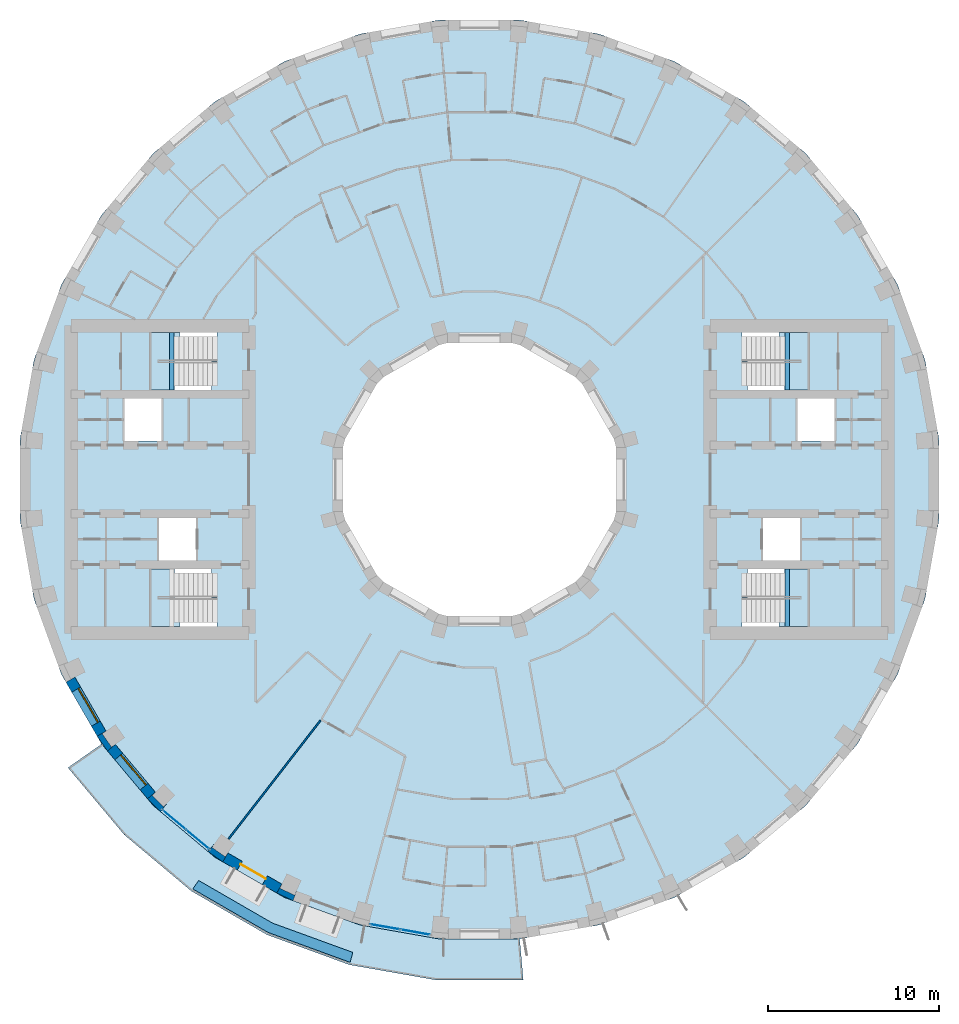
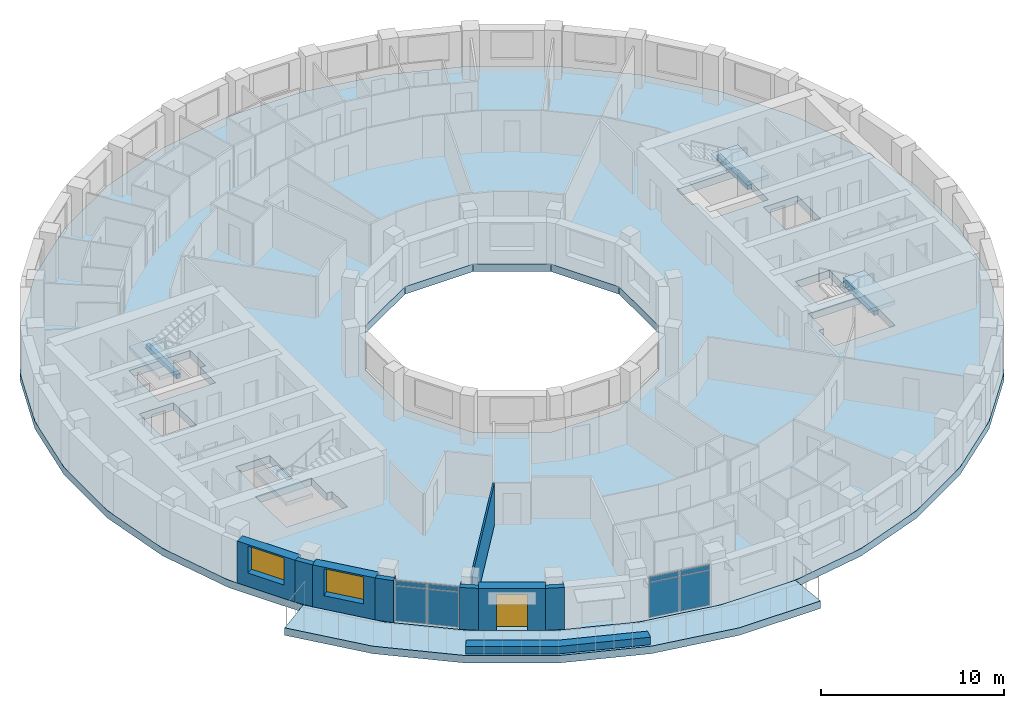
# One storey, part 3 of 14: 9 walls, 8 plates, 6 slabs, 3 beams, 2 windows, 1 door, 3 openings, 6 elements without a shape of their own.
"""IFC4 building model written with IfcOpenShell, lengths in metres."""

import ifcopenshell
import ifcopenshell.guid

model = None  # the IFC model being written
_history = None  # IfcOwnerHistory: only IFC2X3 demands one
_inside = {}  # id of a spatial element -> (the spatial element, [elements in it])
_under = {}  # id of a project, library or spatial element -> (it, [spatial elements below it])
_declared = {}  # id of a project -> (the project, [libraries it declares])
_typed = {}  # id of a type object -> (the type object, [elements of that type])
_made_of = {}  # id of a material, layer set ... -> (it, [elements and type objects made of it])


def new_model(schema):
    """Start an empty IFC model of exactly this schema.

    Asked for "IFC4X3", IfcOpenShell would pick the latest addendum, in which some entities
    have other attributes; the version numbers below select the first issue.
    IFC2X3 requires an IfcOwnerHistory on every rooted entity: one is made here for all.
    """
    global model, _history
    if schema == "IFC4X3":
        model = ifcopenshell.file(schema_version=(4, 3, 0, 0))
    else:
        model = ifcopenshell.file(schema=schema)
    _inside.clear()
    _under.clear()
    _declared.clear()
    _typed.clear()
    _made_of.clear()
    _history = None
    if model.schema == "IFC2X3":
        org = make("IfcOrganization", Name="unknown")
        user = make(
            "IfcPersonAndOrganization",
            ThePerson=make("IfcPerson", FamilyName="unknown"),
            TheOrganization=org,
        )
        app = make(
            "IfcApplication",
            ApplicationDeveloper=org,
            Version="unknown",
            ApplicationFullName="unknown",
            ApplicationIdentifier="unknown",
        )
        _history = make(
            "IfcOwnerHistory",
            OwningUser=user,
            OwningApplication=app,
            ChangeAction="ADDED",
            CreationDate=0,
        )
    return model


def make(cls, **values):
    """One entity of the class cls with the attributes given. An attribute that is None is left unset."""
    return model.create_entity(
        cls, **{name: value for name, value in values.items() if value is not None}
    )


def rooted(cls, **values):
    """An entity with a GlobalId (a new one), such as an element, a storey or a relation."""
    return make(cls, GlobalId=ifcopenshell.guid.new(), OwnerHistory=_history, **values)


def si_unit(unit_type, name, prefix=None):
    """IfcSIUnit, for example si_unit("LENGTHUNIT", "METRE", prefix="MILLI")."""
    return make("IfcSIUnit", UnitType=unit_type, Prefix=prefix, Name=name)


def assignment(units):
    """IfcUnitAssignment: the units of a project."""
    return None if units is None else make("IfcUnitAssignment", Units=units)


def point(xyz):
    """IfcCartesianPoint."""
    return None if xyz is None else make("IfcCartesianPoint", Coordinates=xyz)


def direction(xyz):
    """IfcDirection."""
    return None if xyz is None else make("IfcDirection", DirectionRatios=xyz)


def frame(location, z_axis=None, x_axis=None):
    """IfcAxis2Placement3D, a coordinate frame: its origin and axes. An axis left out is left unset."""
    return make(
        "IfcAxis2Placement3D",
        Location=point(location),
        Axis=direction(z_axis),
        RefDirection=direction(x_axis),
    )


def frame_2d(location, x_axis=None):
    """IfcAxis2Placement2D, a coordinate frame in the plane: its origin and x axis."""
    return make(
        "IfcAxis2Placement2D", Location=point(location), RefDirection=direction(x_axis)
    )


def origin():
    """The frame at (0, 0, 0) with its axes left unset."""
    return frame((0.0, 0.0, 0.0))


def origin_2d():
    """The frame at (0, 0) in the plane with its x axis left unset."""
    return frame_2d((0.0, 0.0))


def place(relative_to, where):
    """IfcLocalPlacement: puts the frame where relative to a parent placement (None: the world)."""
    return make(
        "IfcLocalPlacement", PlacementRelTo=relative_to, RelativePlacement=where
    )


def context(
    kind, dimensions, precision=None, world=None, true_north=None, identifier=None
):
    """IfcGeometricRepresentationContext, for example the 3D "Model" context."""
    return make(
        "IfcGeometricRepresentationContext",
        ContextIdentifier=identifier,
        ContextType=kind,
        CoordinateSpaceDimension=dimensions,
        Precision=precision,
        WorldCoordinateSystem=world,
        TrueNorth=true_north,
    )


def subcontext(parent, identifier, kind, view, scale=None):
    """IfcGeometricRepresentationSubContext, for example "Body" below "Model"."""
    return make(
        "IfcGeometricRepresentationSubContext",
        ContextIdentifier=identifier,
        ContextType=kind,
        ParentContext=parent,
        TargetScale=scale,
        TargetView=view,
    )


def project(units=None, contexts=None):
    """IfcProject with its units and contexts."""
    return rooted(
        "IfcProject",
        Name="project",
        RepresentationContexts=contexts,
        UnitsInContext=assignment(units),
    )


def spatial(cls, under=None, at=None, **own):
    """A site, building, storey or space (cls), placed at a placement, below another one or the project."""
    s = rooted(cls, ObjectPlacement=at, **own)
    if under is not None:
        _under.setdefault(under.id(), (under, []))[1].append(s)
    return s


def polyline(points):
    """IfcPolyline through the points."""
    return make("IfcPolyline", Points=[point(p) for p in points])


def profile(cls, at=None, kind="AREA", **sizes):
    """A parametric profile (cls). Its sizes go by their IFC names, for example OverallWidth=200.0."""
    return make(cls, ProfileType=kind, Position=at, **sizes)


def rectangle(**sizes):
    """IfcRectangleProfileDef."""
    return profile("IfcRectangleProfileDef", **sizes)


def outline(outer, holes=None, kind="AREA"):
    """IfcArbitraryClosedProfileDef: a profile drawn as a closed curve; with holes, ...WithVoids."""
    if holes is None:
        return make("IfcArbitraryClosedProfileDef", ProfileType=kind, OuterCurve=outer)
    return make(
        "IfcArbitraryProfileDefWithVoids",
        ProfileType=kind,
        OuterCurve=outer,
        InnerCurves=holes,
    )


def extrude(swept, where, along, depth):
    """IfcExtrudedAreaSolid: the profile swept, set in the frame where, extruded along a direction by depth."""
    return make(
        "IfcExtrudedAreaSolid",
        SweptArea=swept,
        Position=where,
        ExtrudedDirection=direction(along),
        Depth=depth,
    )


def shape(context_of_items, identifier, shape_type, items):
    """IfcShapeRepresentation: the items that make up one representation, for example the "Body"."""
    return make(
        "IfcShapeRepresentation",
        ContextOfItems=context_of_items,
        RepresentationIdentifier=identifier,
        RepresentationType=shape_type,
        Items=items,
    )


def material(Name=None, Category=None):
    """IfcMaterial."""
    return make("IfcMaterial", Name=Name, Category=Category)


def layer(
    of_material, thickness, ventilated=None, Name=None, Category=None, Priority=None
):
    """IfcMaterialLayer: one layer of a wall or slab, of a material (None: an air gap)."""
    return make(
        "IfcMaterialLayer",
        Material=of_material,
        LayerThickness=thickness,
        IsVentilated=ventilated,
        Name=Name,
        Category=Category,
        Priority=Priority,
    )


def layer_set(layers, Name=None):
    """IfcMaterialLayerSet."""
    return make("IfcMaterialLayerSet", MaterialLayers=layers, LayerSetName=Name)


def material_profile(
    of_material, cross_section, Name=None, Category=None, Priority=None
):
    """IfcMaterialProfile: a cross section and its material."""
    return make(
        "IfcMaterialProfile",
        Name=Name,
        Material=of_material,
        Profile=cross_section,
        Priority=Priority,
        Category=Category,
    )


def profile_set(profiles, Name=None, composite=None):
    """IfcMaterialProfileSet."""
    return make(
        "IfcMaterialProfileSet",
        Name=Name,
        MaterialProfiles=profiles,
        CompositeProfile=composite,
    )


def made_of(thing, what):
    """Note that an element or type object is made of a material, layer set ...; save() writes the relation."""
    if what is not None:
        _made_of.setdefault(what.id(), (what, []))[1].append(thing)
    return thing


def type_object(cls, material=None, **own):
    """A type object (cls), such as IfcWallType, which elements share."""
    return made_of(rooted(cls, **own), material)


def element(
    cls,
    number,
    at=None,
    inside=None,
    cuts=None,
    type_object=None,
    material=None,
    context=None,
    identifier="Body",
    shape_type=None,
    held_by="IfcProductDefinitionShape",
    body=None,
    shapes=None,
    **own,
):
    """One element of the class cls, such as IfcWall. Its Tag is "e" and its number.

    at: its placement. inside: the storey or other place that contains it. cuts: it is an
    opening in that element (IfcRelVoidsElement). A single representation is given by context,
    identifier, shape_type and body (its items); several are given by shapes. held_by: the class
    of the entity that holds the representations. save() writes the other relations.
    """
    e = rooted(cls, Tag="e%d" % number, ObjectPlacement=at, **own)
    if body is not None:
        shapes = [shape(context, identifier, shape_type, body)]
    if shapes is not None:
        e.Representation = make(held_by, Representations=shapes)
    if inside is not None:
        _inside.setdefault(inside.id(), (inside, []))[1].append(e)
    if cuts is not None:
        rooted(
            "IfcRelVoidsElement", RelatingBuildingElement=cuts, RelatedOpeningElement=e
        )
    if type_object is not None:
        _typed.setdefault(type_object.id(), (type_object, []))[1].append(e)
    return made_of(e, material)


def fill(opening, filler):
    """IfcRelFillsElement: the door or window that sits in an opening."""
    return rooted(
        "IfcRelFillsElement",
        RelatingOpeningElement=opening,
        RelatedBuildingElement=filler,
    )


def aggregate(whole, parts):
    """IfcRelAggregates: a whole, such as a stair, and the parts it consists of."""
    return rooted("IfcRelAggregates", RelatingObject=whole, RelatedObjects=parts)


def save(model, path):
    """Write the relations noted so far, then the file.

    IfcRelAggregates (storeys below a building ...), IfcRelContainedInSpatialStructure (elements
    in a storey), IfcRelDefinesByType, IfcRelAssociatesMaterial and IfcRelDeclares: one each for
    every whole, place, type object, material and project.
    """
    for whole, parts in _under.values():
        aggregate(whole, parts)
    for where, things in _inside.values():
        rooted(
            "IfcRelContainedInSpatialStructure",
            RelatedElements=things,
            RelatingStructure=where,
        )
    for kind, things in _typed.values():
        rooted("IfcRelDefinesByType", RelatedObjects=things, RelatingType=kind)
    for what, things in _made_of.values():
        rooted("IfcRelAssociatesMaterial", RelatedObjects=things, RelatingMaterial=what)
    for by, libraries in _declared.values():
        rooted("IfcRelDeclares", RelatingContext=by, RelatedDefinitions=libraries)
    model.write(path)


model = new_model("IFC4")

# Units and contexts
model_context = context("Model", 3, precision=1e-05, world=origin(), true_north=direction((0.0, 1.0)))
body_context = subcontext(model_context, "Body", "Model", "MODEL_VIEW")
ifc_project = project(units=[si_unit("LENGTHUNIT", "METRE"), si_unit("AREAUNIT", "SQUARE_METRE"), si_unit("VOLUMEUNIT", "CUBIC_METRE"), si_unit("PLANEANGLEUNIT", "RADIAN"), si_unit("MASSUNIT", "GRAM", prefix="KILO")], contexts=[model_context])

# Site, building, storey
site_placement = place(None, origin())
site = spatial("IfcSite", under=ifc_project, at=site_placement, CompositionType="ELEMENT")
building_placement = place(site_placement, origin())
building = spatial("IfcBuilding", under=site, at=building_placement, Name="Saqina Gate Tower", CompositionType="ELEMENT")
storey_placement = place(building_placement, frame((0.0, 0.0, 138.10009765625)))
storey = spatial("IfcBuildingStorey", under=building, at=storey_placement, Name="L39", CompositionType="ELEMENT", Elevation=138.10009765625)

# Beams
ifc_material_1 = material(Name="Concrete C40/50", Category="concrete")
ifc_material_profile = material_profile(ifc_material_1, rectangle(XDim=0.25, YDim=0.300048828125, at=origin_2d()), Name="STAIR LANDING BEAM")
ifc_profile_set = profile_set([ifc_material_profile], Name="Concrete C40/50")
beam_type = type_object("IfcBeamType", Name="STAIR LANDING BEAM", PredefinedType="BEAM", material=ifc_profile_set)
for number, where, z_axis, x_axis, name in (
    (1, (18.02001953125, 5.25, 1.25), (0.0, 1.0, 0.0), (-1.0, 0.0, 0.0), "EXIT STAIR 1 LANDING BEAM"),
    (2, (18.02001953125, -8.60009765625, 1.25), (0.0, 1.0, 0.0), (-1.0, 0.0, 0.0), "EXIT STAIR 2 LANDING BEAM"),
    (3, (-18.02001953125, 5.25, 1.25), (0.0, 1.0, 0.0), (-1.0, 0.0, 0.0), "EXIT STAIR 3 LANDING BEAM"),
):
    element("IfcBeam", number, at=place(storey_placement, frame(where, z_axis=z_axis, x_axis=x_axis)), inside=storey, type_object=beam_type, Name=name, PredefinedType="BEAM", context=body_context, shape_type="SweptSolid", body=[
        extrude(rectangle(XDim=0.25, YDim=0.300048828125, at=origin_2d()), origin(), (0.0, 0.0, 1.0), 3.35009765625),
    ])

# Curtain wall, plates
ifc_material_2 = material(Name="Aluminium glazing", Category="aluminium")
ifc_layer_1 = layer(ifc_material_2, 0.159912109375)
ifc_layer_set_1 = layer_set([ifc_layer_1], Name="CWT-4")
curtain_wall_type = type_object("IfcCurtainWallType", Name="CWT-4", PredefinedType="NOTDEFINED", material=ifc_layer_set_1)
curtain_wall_1_placement = place(storey_placement, origin())
curtain_wall_1 = element("IfcCurtainWall", 4, at=curtain_wall_1_placement, inside=storey, type_object=curtain_wall_type, Name="Terrace lounge glazing facet 23", PredefinedType="NOTDEFINED")
ifc_material_3 = material(Name="Glass", Category="glass")
ifc_layer_2 = layer(ifc_material_3, 0.028076171875)
ifc_layer_set_2 = layer_set([ifc_layer_2], Name="CWT-4P")
plate_type = type_object("IfcPlateType", Name="CWT-4P", PredefinedType="CURTAIN_PANEL", material=ifc_layer_set_2)
plate_1_placement = place(storey_placement, frame((-17.8798828125, -19.9130859375, 0.059814453125), z_axis=(0.0, 0.0, 1.0), x_axis=(0.766041744675, -0.642790825553, 0.0)))
plate_1 = element("IfcPlate", 5, at=plate_1_placement, type_object=plate_type, Name="CW4-23 panel 1.1", PredefinedType="CURTAIN_PANEL", context=body_context, shape_type="SweptSolid", body=[
    extrude(rectangle(XDim=1.73388671875, YDim=0.028076171875, at=origin_2d()), origin(), (0.0, 0.0, 1.0), 2.31005859375),
])
plate_2_placement = place(storey_placement, frame((-17.8798828125, -19.9130859375, 2.429931640625), z_axis=(0.0, 0.0, 1.0), x_axis=(0.766041744675, -0.642790825553, 0.0)))
plate_2 = element("IfcPlate", 6, at=plate_2_placement, type_object=plate_type, Name="CW4-23 panel 1.2", PredefinedType="CURTAIN_PANEL", context=body_context, shape_type="SweptSolid", body=[
    extrude(rectangle(XDim=1.73388671875, YDim=0.028076171875, at=origin_2d()), origin(), (0.0, 0.0, 1.0), 0.31005859375),
])
plate_3_placement = place(storey_placement, frame((-16.505615234375, -21.066162109375, 0.059814453125), z_axis=(0.0, 0.0, 1.0), x_axis=(0.766041744675, -0.642790825553, 0.0)))
plate_3 = element("IfcPlate", 7, at=plate_3_placement, type_object=plate_type, Name="CW4-23 panel 2.1", PredefinedType="CURTAIN_PANEL", context=body_context, shape_type="SweptSolid", body=[
    extrude(rectangle(XDim=1.73388671875, YDim=0.028076171875, at=origin_2d()), origin(), (0.0, 0.0, 1.0), 2.31005859375),
])
plate_4_placement = place(storey_placement, frame((-16.505615234375, -21.066162109375, 2.429931640625), z_axis=(0.0, 0.0, 1.0), x_axis=(0.766041744675, -0.642790825553, 0.0)))
plate_4 = element("IfcPlate", 8, at=plate_4_placement, type_object=plate_type, Name="CW4-23 panel 2.2", PredefinedType="CURTAIN_PANEL", context=body_context, shape_type="SweptSolid", body=[
    extrude(rectangle(XDim=1.73388671875, YDim=0.028076171875, at=origin_2d()), origin(), (0.0, 0.0, 1.0), 0.31005859375),
])
aggregate(curtain_wall_1, [plate_1, plate_2, plate_3, plate_4])

curtain_wall_2_placement = place(storey_placement, origin())
curtain_wall_2 = element("IfcCurtainWall", 9, at=curtain_wall_2_placement, inside=storey, type_object=curtain_wall_type, Name="Terrace lounge glazing facet 26", PredefinedType="NOTDEFINED")
plate_5_placement = place(storey_placement, frame((-5.52783203125, -26.18505859375, 0.059814453125), z_axis=(0.0, 0.0, 1.0), x_axis=(0.984809489664, -0.17363832834, 0.0)))
plate_5 = element("IfcPlate", 10, at=plate_5_placement, type_object=plate_type, Name="CW4-26 panel 1.1", PredefinedType="CURTAIN_PANEL", context=body_context, shape_type="SweptSolid", body=[
    extrude(rectangle(XDim=1.73388671875, YDim=0.028076171875, at=origin_2d()), origin(), (0.0, 0.0, 1.0), 2.31005859375),
])
plate_6_placement = place(storey_placement, frame((-5.52783203125, -26.18505859375, 2.429931640625), z_axis=(0.0, 0.0, 1.0), x_axis=(0.984809489664, -0.17363832834, 0.0)))
plate_6 = element("IfcPlate", 11, at=plate_6_placement, type_object=plate_type, Name="CW4-26 panel 1.2", PredefinedType="CURTAIN_PANEL", context=body_context, shape_type="SweptSolid", body=[
    extrude(rectangle(XDim=1.73388671875, YDim=0.028076171875, at=origin_2d()), origin(), (0.0, 0.0, 1.0), 0.31005859375),
])
plate_7_placement = place(storey_placement, frame((-3.76123046875, -26.49658203125, 0.059814453125), z_axis=(0.0, 0.0, 1.0), x_axis=(0.984809489664, -0.17363832834, 0.0)))
plate_7 = element("IfcPlate", 12, at=plate_7_placement, type_object=plate_type, Name="CW4-26 panel 2.1", PredefinedType="CURTAIN_PANEL", context=body_context, shape_type="SweptSolid", body=[
    extrude(rectangle(XDim=1.73388671875, YDim=0.028076171875, at=origin_2d()), origin(), (0.0, 0.0, 1.0), 2.31005859375),
])
plate_8_placement = place(storey_placement, frame((-3.76123046875, -26.49658203125, 2.429931640625), z_axis=(0.0, 0.0, 1.0), x_axis=(0.984809489664, -0.17363832834, 0.0)))
plate_8 = element("IfcPlate", 13, at=plate_8_placement, type_object=plate_type, Name="CW4-26 panel 2.2", PredefinedType="CURTAIN_PANEL", context=body_context, shape_type="SweptSolid", body=[
    extrude(rectangle(XDim=1.73388671875, YDim=0.028076171875, at=origin_2d()), origin(), (0.0, 0.0, 1.0), 0.31005859375),
])
aggregate(curtain_wall_2, [plate_5, plate_6, plate_7, plate_8])

# Stair, slab
ifc_material_4 = material(Name="Concrete C40/50", Category="concrete")
stair_type = type_object("IfcStairType", Name="EXIT STAIR", PredefinedType="HALF_TURN_STAIR", material=ifc_material_4)
stair_1_placement = place(storey_placement, origin())
stair_1 = element("IfcStair", 14, at=stair_1_placement, inside=storey, type_object=stair_type, Name="EXIT STAIR 1", PredefinedType="HALF_TURN_STAIR")
ifc_material_5 = material(Name="Concrete C40/50", Category="concrete")
ifc_layer_3 = layer(ifc_material_5, 0.25)
ifc_layer_set_3 = layer_set([ifc_layer_3], Name="Concrete C40/50")
slab_type_1 = type_object("IfcSlabType", Name="EXIT STAIR LANDING", PredefinedType="LANDING", material=ifc_layer_set_3)
slab_1_placement = place(storey_placement, frame((0.0, 0.0, 1.39990234375)))
slab_1 = element("IfcSlab", 15, at=slab_1_placement, type_object=slab_type_1, Name="EXIT STAIR 1 LANDING 1", PredefinedType="LANDING", context=body_context, shape_type="SweptSolid", body=[
    extrude(outline(polyline([(19.219970703125, 8.60009765625), (19.219970703125, 5.25), (17.864990234375, 5.25), (17.864990234375, 6.925048828125), (17.534423828125, 6.925048828125), (17.534423828125, 8.60009765625), (17.864990234375, 8.60009765625), (17.8701171875, 8.60009765625), (19.219970703125, 8.60009765625)])), origin(), (0.0, 0.0, 1.0), 0.25),
])
aggregate(stair_1, [slab_1])

stair_2_placement = place(storey_placement, origin())
stair_2 = element("IfcStair", 16, at=stair_2_placement, inside=storey, type_object=stair_type, Name="EXIT STAIR 2", PredefinedType="HALF_TURN_STAIR")
slab_2_placement = place(storey_placement, frame((0.0, 0.0, 1.39990234375)))
slab_2 = element("IfcSlab", 17, at=slab_2_placement, type_object=slab_type_1, Name="EXIT STAIR 2 LANDING 1", PredefinedType="LANDING", context=body_context, shape_type="SweptSolid", body=[
    extrude(outline(polyline([(17.534423828125, -8.60009765625), (17.534423828125, -6.925048828125), (17.864990234375, -6.925048828125), (17.864990234375, -5.25), (19.219970703125, -5.25), (19.219970703125, -8.60009765625), (17.8701171875, -8.60009765625), (17.864990234375, -8.60009765625), (17.534423828125, -8.60009765625)])), origin(), (0.0, 0.0, 1.0), 0.25),
])
aggregate(stair_2, [slab_2])

stair_3_placement = place(storey_placement, origin())
stair_3 = element("IfcStair", 18, at=stair_3_placement, inside=storey, type_object=stair_type, Name="EXIT STAIR 3", PredefinedType="HALF_TURN_STAIR")
slab_3_placement = place(storey_placement, frame((0.0, 0.0, 1.39990234375)))
slab_3 = element("IfcSlab", 19, at=slab_3_placement, type_object=slab_type_1, Name="EXIT STAIR 3 LANDING 1", PredefinedType="LANDING", context=body_context, shape_type="SweptSolid", body=[
    extrude(outline(polyline([(-17.864990234375, 5.25), (-19.219970703125, 5.25), (-19.219970703125, 8.60009765625), (-17.8701171875, 8.60009765625), (-17.864990234375, 8.60009765625), (-17.534423828125, 8.60009765625), (-17.534423828125, 6.925048828125), (-17.864990234375, 6.925048828125), (-17.864990234375, 5.25)])), origin(), (0.0, 0.0, 1.0), 0.25),
])
aggregate(stair_3, [slab_3])

stair_4_placement = place(storey_placement, origin())
stair_4 = element("IfcStair", 20, at=stair_4_placement, inside=storey, type_object=stair_type, Name="EXIT STAIR 4", PredefinedType="HALF_TURN_STAIR")
slab_4_placement = place(storey_placement, frame((0.0, 0.0, 1.39990234375)))
slab_4 = element("IfcSlab", 21, at=slab_4_placement, type_object=slab_type_1, Name="EXIT STAIR 4 LANDING 1", PredefinedType="LANDING", context=body_context, shape_type="SweptSolid", body=[
    extrude(outline(polyline([(-17.534423828125, -6.925048828125), (-17.534423828125, -8.60009765625), (-17.864990234375, -8.60009765625), (-17.8701171875, -8.60009765625), (-19.219970703125, -8.60009765625), (-19.219970703125, -5.25), (-17.864990234375, -5.25), (-17.864990234375, -6.925048828125), (-17.534423828125, -6.925048828125)])), origin(), (0.0, 0.0, 1.0), 0.25),
])
aggregate(stair_4, [slab_4])

# Slabs
ifc_material_6 = material(Name="Concrete C40/50", Category="concrete")
ifc_layer_4 = layer(ifc_material_6, 0.5)
ifc_layer_set_4 = layer_set([ifc_layer_4], Name="Concrete C40/50")
slab_type_2 = type_object("IfcSlabType", Name="STR-POST-TENSIONED FLAT PLATE FLOOR-500", PredefinedType="FLOOR", material=ifc_layer_set_4)
slab_5_placement = place(storey_placement, frame((0.0, 0.0, -0.5)))
element("IfcSlab", 22, at=slab_5_placement, inside=storey, type_object=slab_type_2, Name="L39-SLB01", PredefinedType="FLOOR", context=body_context, shape_type="SweptSolid", body=[
    extrude(outline(polyline([(26.080078125, -6.988037109375), (26.897216796875, -2.353271484375), (26.897216796875, 2.353271484375), (26.080078125, 6.988037109375), (24.47021484375, 11.41064453125), (22.1171875, 15.486572265625), (19.091796875, 19.091796875), (15.486572265625, 22.1171875), (11.41064453125, 24.47021484375), (6.988037109375, 26.080078125), (2.353271484375, 26.897216796875), (-2.353271484375, 26.897216796875), (-6.988037109375, 26.080078125), (-11.41064453125, 24.47021484375), (-15.486572265625, 22.1171875), (-19.091796875, 19.091796875), (-22.1171875, 15.486572265625), (-24.47021484375, 11.41064453125), (-26.080078125, 6.988037109375), (-26.897216796875, 2.353271484375), (-26.897216796875, -2.353271484375), (-26.080078125, -6.988037109375), (-24.47021484375, -11.41064453125), (-22.1171875, -15.486572265625), (-19.091796875, -19.091796875), (-15.486572265625, -22.1171875), (-11.41064453125, -24.47021484375), (-6.988037109375, -26.080078125), (-2.353271484375, -26.897216796875), (2.353271484375, -26.897216796875), (6.988037109375, -26.080078125), (11.41064453125, -24.47021484375), (15.486572265625, -22.1171875), (19.091796875, -19.091796875), (22.1171875, -15.486572265625), (24.47021484375, -11.41064453125), (26.080078125, -6.988037109375)]), holes=[polyline([(2.1435546875, 8.0), (5.8564453125, 5.8564453125), (8.0, 2.1435546875), (8.0, -2.1435546875), (5.8564453125, -5.8564453125), (2.1435546875, -8.0), (-2.1435546875, -8.0), (-5.8564453125, -5.8564453125), (-8.0, -2.1435546875), (-8.0, 2.1435546875), (-5.8564453125, 5.8564453125), (-2.1435546875, 8.0), (2.1435546875, 8.0)]), polyline([(-15.35498046875, -8.60009765625), (-19.219970703125, -8.60009765625), (-19.219970703125, -6.925048828125), (-19.219970703125, -5.25), (-15.685546875, -5.25), (-15.685546875, -6.925048828125), (-15.35498046875, -6.925048828125), (-15.35498046875, -8.60009765625)]), polyline([(-16.590087890625, -2.25), (-16.590087890625, -4.75), (-18.75, -4.75), (-18.75, -2.25), (-16.590087890625, -2.25)]), polyline([(-20.780029296875, 4.75), (-18.6201171875, 4.75), (-18.6201171875, 2.25), (-20.780029296875, 2.25), (-20.780029296875, 4.75)]), polyline([(-19.219970703125, 6.925048828125), (-19.219970703125, 8.60009765625), (-15.35498046875, 8.60009765625), (-15.35498046875, 6.925048828125), (-15.685546875, 6.925048828125), (-15.685546875, 5.25), (-19.219970703125, 5.25), (-19.219970703125, 6.925048828125)]), polyline([(15.35498046875, -8.60009765625), (15.35498046875, -6.925048828125), (15.685546875, -6.925048828125), (15.685546875, -5.25), (19.219970703125, -5.25), (19.219970703125, -6.925048828125), (19.219970703125, -8.60009765625), (15.35498046875, -8.60009765625)]), polyline([(18.75, -2.25), (18.75, -4.75), (16.590087890625, -4.75), (16.590087890625, -2.25), (18.75, -2.25)]), polyline([(18.6201171875, 4.75), (20.780029296875, 4.75), (20.780029296875, 2.25), (18.6201171875, 2.25), (18.6201171875, 4.75)]), polyline([(15.685546875, 6.925048828125), (15.35498046875, 6.925048828125), (15.35498046875, 8.60009765625), (19.219970703125, 8.60009765625), (19.219970703125, 6.925048828125), (19.219970703125, 5.25), (15.685546875, 5.25), (15.685546875, 6.925048828125)])]), origin(), (0.0, 0.0, 1.0), 0.5),
])
ifc_material_7 = material(Name="Concrete C40/50", Category="concrete")
ifc_layer_5 = layer(ifc_material_7, 0.5)
ifc_layer_set_5 = layer_set([ifc_layer_5], Name="Concrete C40/50")
slab_type_3 = type_object("IfcSlabType", Name="STR-POST-TENSIONED FLAT PLATE TERRACE-500", PredefinedType="FLOOR", material=ifc_layer_set_5)
slab_6_placement = place(storey_placement, frame((0.0, 0.0, -0.5)))
element("IfcSlab", 23, at=slab_6_placement, inside=storey, type_object=slab_type_3, Name="L39-TRS01", PredefinedType="FLOOR", context=body_context, shape_type="SweptSolid", body=[
    extrude(outline(polyline([(-22.1171875, -15.486572265625), (-19.091796875, -19.091796875), (-15.486572265625, -22.1171875), (-11.41064453125, -24.47021484375), (-6.988037109375, -26.080078125), (-2.353271484375, -26.897216796875), (2.353271484375, -26.897216796875), (2.563232421875, -29.29736328125), (-2.563232421875, -29.29736328125), (-7.611572265625, -28.406982421875), (-12.428955078125, -26.65380859375), (-16.868408203125, -24.090576171875), (-20.79541015625, -20.79541015625), (-24.090576171875, -16.868408203125), (-22.1171875, -15.486572265625)])), origin(), (0.0, 0.0, 1.0), 0.5),
])

# Walls
ifc_material_8 = material(Name="Brick masonry (buff)", Category="masonry")
wall_type_1 = type_object("IfcWallType", Name="BRICK PIER COPING BUFF", PredefinedType="SOLIDWALL", material=ifc_material_8)
wall_1_placement = place(storey_placement, origin())
element("IfcWall", 24, at=wall_1_placement, inside=storey, type_object=wall_type_1, Name="Pier cap L39 column 22", PredefinedType="SOLIDWALL", context=body_context, shape_type="SweptSolid", body=[
    extrude(outline(polyline([(-21.77685546875, -15.89208984375), (-21.317138671875, -15.50634765625), (-21.53759765625, -15.66064453125), (-22.08251953125, -14.88232421875), (-21.862060546875, -14.728271484375), (-22.3818359375, -15.0283203125), (-21.77685546875, -15.89208984375)])), origin(), (0.0, 0.0, 1.0), 2.7998046875),
])
wall_2_placement = place(storey_placement, origin())
element("IfcWall", 25, at=wall_2_placement, inside=storey, type_object=wall_type_1, Name="Pier cap L39 column 23", PredefinedType="SOLIDWALL", context=body_context, shape_type="SweptSolid", body=[
    extrude(outline(polyline([(-19.43212890625, -18.686279296875), (-18.686279296875, -19.43212890625), (-18.30078125, -18.972412109375), (-18.49072265625, -19.16259765625), (-19.16259765625, -18.49072265625), (-18.972412109375, -18.30078125), (-19.43212890625, -18.686279296875)])), origin(), (0.0, 0.0, 1.0), 2.7998046875),
])
wall_3_placement = place(storey_placement, origin())
element("IfcWall", 26, at=wall_3_placement, inside=storey, type_object=wall_type_1, Name="Pier cap L39 column 24", PredefinedType="SOLIDWALL", context=body_context, shape_type="SweptSolid", body=[
    extrude(outline(polyline([(-15.0283203125, -22.3818359375), (-14.728271484375, -21.862060546875), (-14.88232421875, -22.08251953125), (-15.66064453125, -21.53759765625), (-15.50634765625, -21.317138671875), (-15.89208984375, -21.77685546875), (-15.0283203125, -22.3818359375)])), origin(), (0.0, 0.0, 1.0), 2.7998046875),
])
wall_4_placement = place(storey_placement, origin())
element("IfcWall", 27, at=wall_4_placement, inside=storey, type_object=wall_type_1, Name="Pier cap L39 column 25", PredefinedType="SOLIDWALL", context=body_context, shape_type="SweptSolid", body=[
    extrude(outline(polyline([(-10.913330078125, -24.6513671875), (-10.7080078125, -24.08740234375), (-10.82177734375, -24.331298828125), (-11.6826171875, -23.9296875), (-11.569091796875, -23.68603515625), (-11.869140625, -24.205810546875), (-10.913330078125, -24.6513671875)])), origin(), (0.0, 0.0, 1.0), 2.7998046875),
])

# Wall, opening, window
ifc_material_9 = material(Name="Brick masonry (buff)", Category="masonry")
ifc_layer_6 = layer(ifc_material_9, 0.60009765625)
ifc_layer_set_6 = layer_set([ifc_layer_6], Name="FW-BRICK-BUFF")
wall_type_2 = type_object("IfcWallType", Name="FW-BRICK-BUFF", PredefinedType="SOLIDWALL", material=ifc_layer_set_6)
wall_5_placement = place(storey_placement, frame((-23.94580078125, -11.718994140625, 0.0), z_axis=(0.0, 0.0, 1.0), x_axis=(0.499954196102, -0.866051847062, 0.0)))
wall_5 = element("IfcWall", 28, at=wall_5_placement, inside=storey, type_object=wall_type_2, Name="Facade wall L39 facet 21", PredefinedType="SOLIDWALL", context=body_context, shape_type="SweptSolid", body=[
    extrude(rectangle(XDim=3.647705078125, YDim=0.60009765625, at=frame_2d((1.82373046875, 0.0))), origin(), (0.0, 0.0, 1.0), 2.7998046875),
])
opening_1_placement = place(wall_5_placement, frame((0.673828125, 0.0, 0.89990234375)))
opening_1 = element("IfcOpeningElement", 29, at=opening_1_placement, cuts=wall_5, Name="Opening G11-W14", PredefinedType="OPENING", context=body_context, shape_type="SweptSolid", body=[
    extrude(rectangle(XDim=2.300048828125, YDim=1.800048828125, at=frame_2d((1.14990234375, 0.89990234375))), frame((0.0, 0.31201171875, 0.0), z_axis=(0.0, -1.0, 0.0), x_axis=(1.0, 0.0, 0.0)), (0.0, 0.0, 1.0), 0.6240234375),
])
ifc_material_10 = material(Name="Aluminium glazing", Category="aluminium")
window_type = type_object("IfcWindowType", Name="WN-B", PartitioningType="SINGLE_PANEL", PredefinedType="WINDOW", material=ifc_material_10)
window_1_placement = place(opening_1_placement, origin())
window_1 = element("IfcWindow", 30, at=window_1_placement, inside=storey, type_object=window_type, Name="Window L39 facet 21", OverallHeight=1.800048828125, OverallWidth=2.300048828125, PartitioningType="SINGLE_PANEL", PredefinedType="WINDOW", context=body_context, shape_type="SweptSolid", body=[
    extrude(rectangle(XDim=2.300048828125, YDim=1.800048828125, at=frame_2d((1.14990234375, 0.89990234375))), frame((0.0, 0.179931640625, 0.0), z_axis=(0.0, -1.0, 0.0), x_axis=(1.0, 0.0, 0.0)), (0.0, 0.0, 1.0), 0.06005859375),
])
fill(opening_1, window_1)

wall_6_placement = place(storey_placement, frame((-21.547119140625, -15.69921875, 0.0), z_axis=(0.0, 0.0, 1.0), x_axis=(0.642774476932, -0.766055462616, 0.0)))
wall_6 = element("IfcWall", 31, at=wall_6_placement, inside=storey, type_object=wall_type_2, Name="Facade wall L39 facet 22", PredefinedType="SOLIDWALL", context=body_context, shape_type="SweptSolid", body=[
    extrude(rectangle(XDim=3.647705078125, YDim=0.60009765625, at=frame_2d((1.82373046875, 0.0))), origin(), (0.0, 0.0, 1.0), 2.7998046875),
])
opening_2_placement = place(wall_6_placement, frame((0.673828125, 0.0, 0.89990234375)))
opening_2 = element("IfcOpeningElement", 32, at=opening_2_placement, cuts=wall_6, Name="Opening G11-W15", PredefinedType="OPENING", context=body_context, shape_type="SweptSolid", body=[
    extrude(rectangle(XDim=2.300048828125, YDim=1.800048828125, at=frame_2d((1.14990234375, 0.89990234375))), frame((0.0, 0.31201171875, 0.0), z_axis=(0.0, -1.0, 0.0), x_axis=(1.0, 0.0, 0.0)), (0.0, 0.0, 1.0), 0.6240234375),
])
window_2_placement = place(opening_2_placement, origin())
window_2 = element("IfcWindow", 33, at=window_2_placement, inside=storey, type_object=window_type, Name="Window L39 facet 22", OverallHeight=1.800048828125, OverallWidth=2.300048828125, PartitioningType="SINGLE_PANEL", PredefinedType="WINDOW", context=body_context, shape_type="SweptSolid", body=[
    extrude(rectangle(XDim=2.300048828125, YDim=1.800048828125, at=frame_2d((1.14990234375, 0.89990234375))), frame((0.0, 0.179931640625, 0.0), z_axis=(0.0, -1.0, 0.0), x_axis=(1.0, 0.0, 0.0)), (0.0, 0.0, 1.0), 0.06005859375),
])
fill(opening_2, window_2)

# Wall, opening, door
wall_7_placement = place(storey_placement, frame((-14.878173828125, -22.1220703125, 0.0), z_axis=(0.0, 0.0, 1.0), x_axis=(0.866051847062, -0.499954196102, 0.0)))
wall_7 = element("IfcWall", 34, at=wall_7_placement, inside=storey, type_object=wall_type_2, Name="Facade wall L39 facet 24", PredefinedType="SOLIDWALL", context=body_context, shape_type="SweptSolid", body=[
    extrude(rectangle(XDim=3.647705078125, YDim=0.60009765625, at=frame_2d((1.82373046875, 0.0))), origin(), (0.0, 0.0, 1.0), 2.7998046875),
])
opening_3_placement = place(wall_7_placement, frame((0.973876953125, 0.0, 0.0)))
opening_3 = element("IfcOpeningElement", 35, at=opening_3_placement, cuts=wall_7, Name="Opening G11-D80", PredefinedType="OPENING", context=body_context, shape_type="SweptSolid", body=[
    extrude(rectangle(XDim=1.699951171875, YDim=2.39990234375, at=frame_2d((0.85009765625, 1.199951171875))), frame((0.0, 0.31201171875, 0.0), z_axis=(0.0, -1.0, 0.0), x_axis=(1.0, 0.0, 0.0)), (0.0, 0.0, 1.0), 0.6240234375),
])
ifc_material_11 = material(Name="Aluminium glazing", Category="aluminium")
door_type = type_object("IfcDoorType", Name="GD-B", OperationType="DOUBLE_DOOR_SINGLE_SWING", PredefinedType="DOOR", material=ifc_material_11)
door_placement = place(opening_3_placement, origin())
door = element("IfcDoor", 36, at=door_placement, inside=storey, type_object=door_type, Name="Terrace door L39 facet 24", OperationType="DOUBLE_DOOR_SINGLE_SWING", OverallHeight=2.39990234375, OverallWidth=1.699951171875, PredefinedType="DOOR", context=body_context, shape_type="SweptSolid", body=[
    extrude(rectangle(XDim=1.699951171875, YDim=2.39990234375, at=frame_2d((0.85009765625, 1.199951171875))), frame((0.0, 0.125, 0.0), z_axis=(0.0, -1.0, 0.0), x_axis=(1.0, 0.0, 0.0)), (0.0, 0.0, 1.0), 0.050048828125),
])
fill(opening_3, door)

# Walls
ifc_material_12 = material(Name="Gypsum board on steel studs, 100 mm", Category="steel")
ifc_layer_7 = layer(ifc_material_12, 0.10009765625)
ifc_layer_set_7 = layer_set([ifc_layer_7], Name="PARTITION 100")
wall_type_3 = type_object("IfcWallType", Name="PARTITION 100", PredefinedType="PARTITIONING", material=ifc_layer_set_7)
wall_8_placement = place(storey_placement, frame((-14.69140625, -21.044189453125, 0.0), z_axis=(0.0, 0.0, 1.0), x_axis=(0.612857497435, 0.79019344963, 0.0)))
element("IfcWall", 37, at=wall_8_placement, inside=storey, type_object=wall_type_3, Name="PARTITION PW3-72", PredefinedType="PARTITIONING", context=body_context, shape_type="SweptSolid", body=[
    extrude(rectangle(XDim=8.790283203125, YDim=0.10009765625, at=frame_2d((4.39501953125, 0.0))), origin(), (0.0, 0.0, 1.0), 2.7998046875),
])
ifc_material_13 = material(Name="Brick masonry (red)", Category="masonry")
ifc_layer_8 = layer(ifc_material_13, 0.60009765625)
ifc_layer_set_8 = layer_set([ifc_layer_8], Name="PL-PLANTER")
wall_type_4 = type_object("IfcWallType", Name="PL-PLANTER", PredefinedType="PARAPET", material=ifc_layer_set_8)
wall_9_placement = place(storey_placement, origin())
element("IfcWall", 38, at=wall_9_placement, inside=storey, type_object=wall_type_4, Name="Planter L39", PredefinedType="PARAPET", context=body_context, shape_type="SweptSolid", body=[
    extrude(outline(polyline([(-16.781982421875, -23.96728515625), (-12.365234375, -26.517333984375), (-7.57275390625, -28.26171875), (-7.416748046875, -27.679931640625), (-12.110595703125, -25.971435546875), (-16.4365234375, -23.473876953125), (-16.781982421875, -23.96728515625)])), origin(), (0.0, 0.0, 1.0), 0.5),
])

save(model, "model.ifc")
